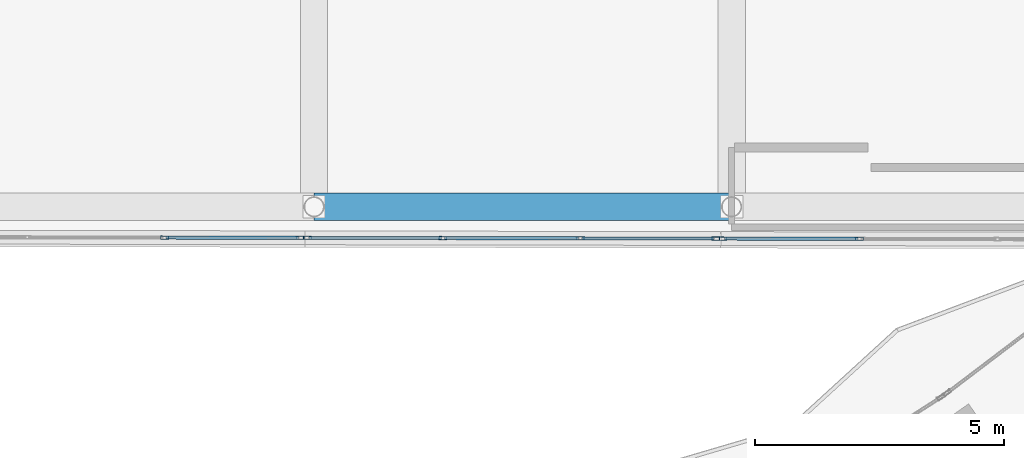
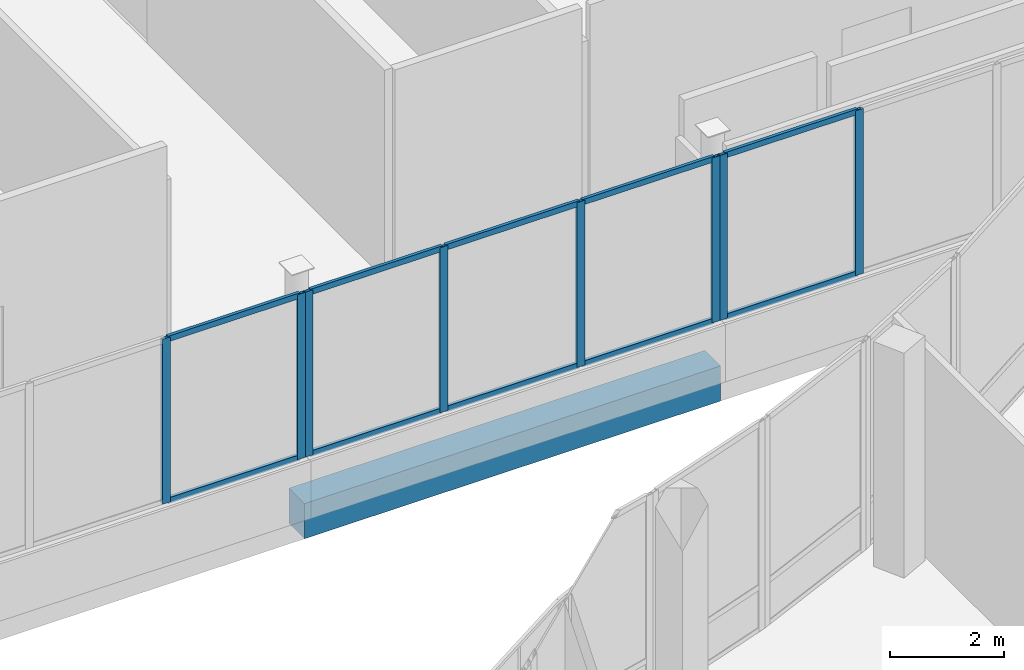
# One storey, part 37 of 155: 18 members, 1 beam, 3 elements without a shape of their own.
"""IFC4 building model written with IfcOpenShell, lengths in metres."""

from ifc_helpers import new_model, si_unit, direction, frame, origin, origin_2d, place, context, subcontext, project, spatial, rectangle, hollow_rectangle, extrude, material, material_profile, profile_set, type_object, element, aggregate, save


model = new_model("IFC4")

# Units and contexts
model_context = context("Model", 3, precision=1e-05, world=origin(), true_north=direction((0.0, 1.0)))
body_context = subcontext(model_context, "Body", "Model", "MODEL_VIEW")
ifc_project = project(units=[si_unit("LENGTHUNIT", "METRE"), si_unit("AREAUNIT", "SQUARE_METRE"), si_unit("VOLUMEUNIT", "CUBIC_METRE"), si_unit("PLANEANGLEUNIT", "RADIAN"), si_unit("MASSUNIT", "GRAM", prefix="KILO")], contexts=[model_context])

# Site, building, storey
site_placement = place(None, origin())
site = spatial("IfcSite", under=ifc_project, at=site_placement, CompositionType="ELEMENT")
building_placement = place(site_placement, origin())
building = spatial("IfcBuilding", under=site, at=building_placement, Name="Selatvlak General Hospital", CompositionType="ELEMENT")
storey_placement = place(building_placement, frame((0.0, 0.0, 10.199951171875)))
storey = spatial("IfcBuildingStorey", under=building, at=storey_placement, Name="L02", CompositionType="ELEMENT", Elevation=10.199951171875)

# Beam
ifc_material_1 = material(Name="Concrete C40/50", Category="concrete")
ifc_material_profile_1 = material_profile(ifc_material_1, rectangle(XDim=0.550048828125, YDim=0.75, at=origin_2d()), Name="RC-BM 550x750")
ifc_profile_set_1 = profile_set([ifc_material_profile_1], Name="Concrete C40/50")
beam_type = type_object("IfcBeamType", Name="BM-G02", PredefinedType="BEAM", material=ifc_profile_set_1)
beam_placement = place(storey_placement, frame((64.800048828125, 52.550048828125, -0.72998046875), z_axis=(1.0, 0.0, 0.0), x_axis=(0.0, 1.0, 0.0)))
element("IfcBeam", 1, at=beam_placement, inside=storey, type_object=beam_type, Name="Beam BMR-L02-0772", PredefinedType="BEAM", context=body_context, shape_type="SweptSolid", body=[
    extrude(rectangle(XDim=0.550048828125, YDim=0.75, at=origin_2d()), origin(), (0.0, 0.0, 1.0), 8.39990234375),
])

# Curtain wall, members
ifc_material_2 = material(Name="Solar-control Low-E double glazing", Category="glass")
curtain_wall_type_1 = type_object("IfcCurtainWallType", Name="CW-CW-02", PredefinedType="USERDEFINED", material=ifc_material_2)
curtain_wall_1_placement = place(storey_placement, origin())
curtain_wall_1 = element("IfcCurtainWall", 2, at=curtain_wall_1_placement, inside=storey, type_object=curtain_wall_type_1, Name="Glazed facade curtain wall CW-L02-0339", ObjectType="UNITISED CURTAIN WALL", PredefinedType="USERDEFINED")
ifc_material_3 = material(Name="Dark anodised aluminium mullion", Category="aluminium")
ifc_material_profile_2 = material_profile(ifc_material_3, hollow_rectangle(XDim=0.06494140625, YDim=0.159912109375, WallThickness=0.00390625, at=origin_2d()), Name="AL-MUL 65x160x4")
ifc_profile_set_2 = profile_set([ifc_material_profile_2], Name="Dark anodised aluminium mullion")
member_type_1 = type_object("IfcMemberType", Name="CWM-01", PredefinedType="MULLION", material=ifc_profile_set_2)
member_1_placement = place(storey_placement, frame((75.772216796875, 51.905029296875, 0.93994140625), z_axis=(0.0, 0.0, 1.0), x_axis=(-0.001800285137, -0.999998379485, 0.0)))
member_1 = element("IfcMember", 3, at=member_1_placement, type_object=member_type_1, Name="CW-02 mullion 3", PredefinedType="MULLION", context=body_context, shape_type="SweptSolid", body=[
    extrude(hollow_rectangle(XDim=0.06494140625, YDim=0.159912109375, WallThickness=0.00390625, at=origin_2d()), origin(), (0.0, 0.0, 1.0), 3.52001953125),
])
member_2_placement = place(storey_placement, frame((73.027587890625, 51.909912109375, 0.93994140625), z_axis=(0.0, 0.0, 1.0), x_axis=(-0.001800285137, -0.999998379485, 0.0)))
member_2 = element("IfcMember", 4, at=member_2_placement, type_object=member_type_1, Name="CW-02 mullion 4", PredefinedType="MULLION", context=body_context, shape_type="SweptSolid", body=[
    extrude(hollow_rectangle(XDim=0.06494140625, YDim=0.159912109375, WallThickness=0.00390625, at=origin_2d()), origin(), (0.0, 0.0, 1.0), 3.52001953125),
])

curtain_wall_type_2 = type_object("IfcCurtainWallType", Name="CW-CW-01", PredefinedType="USERDEFINED", material=ifc_material_2)
curtain_wall_2_placement = place(storey_placement, origin())
curtain_wall_2 = element("IfcCurtainWall", 5, at=curtain_wall_2_placement, inside=storey, type_object=curtain_wall_type_2, Name="Glazed facade curtain wall CW-L02-0340", ObjectType="UNITISED CURTAIN WALL", PredefinedType="USERDEFINED")
member_3_placement = place(storey_placement, frame((72.882568359375, 51.91015625, 0.93994140625), z_axis=(0.0, 0.0, 1.0), x_axis=(-0.001811153756, -0.99999835986, 0.0)))
member_3 = element("IfcMember", 6, at=member_3_placement, type_object=member_type_1, Name="CW-01 mullion 1", PredefinedType="MULLION", context=body_context, shape_type="SweptSolid", body=[
    extrude(hollow_rectangle(XDim=0.06494140625, YDim=0.159912109375, WallThickness=0.00390625, at=origin_2d()), origin(), (0.0, 0.0, 1.0), 3.52001953125),
])
member_4_placement = place(storey_placement, frame((70.154296875, 51.9150390625, 0.93994140625), z_axis=(0.0, 0.0, 1.0), x_axis=(-0.001811153756, -0.99999835986, 0.0)))
member_4 = element("IfcMember", 7, at=member_4_placement, type_object=member_type_1, Name="CW-01 mullion 2", PredefinedType="MULLION", context=body_context, shape_type="SweptSolid", body=[
    extrude(hollow_rectangle(XDim=0.06494140625, YDim=0.159912109375, WallThickness=0.00390625, at=origin_2d()), origin(), (0.0, 0.0, 1.0), 3.52001953125),
])
member_5_placement = place(storey_placement, frame((67.3935546875, 51.919921875, 0.93994140625), z_axis=(0.0, 0.0, 1.0), x_axis=(-0.001811153756, -0.99999835986, 0.0)))
member_5 = element("IfcMember", 8, at=member_5_placement, type_object=member_type_1, Name="CW-01 mullion 3", PredefinedType="MULLION", context=body_context, shape_type="SweptSolid", body=[
    extrude(hollow_rectangle(XDim=0.06494140625, YDim=0.159912109375, WallThickness=0.00390625, at=origin_2d()), origin(), (0.0, 0.0, 1.0), 3.52001953125),
])
member_6_placement = place(storey_placement, frame((64.66552734375, 51.925048828125, 0.93994140625), z_axis=(0.0, 0.0, 1.0), x_axis=(-0.001811153756, -0.99999835986, 0.0)))
member_6 = element("IfcMember", 9, at=member_6_placement, type_object=member_type_1, Name="CW-01 mullion 4", PredefinedType="MULLION", context=body_context, shape_type="SweptSolid", body=[
    extrude(hollow_rectangle(XDim=0.06494140625, YDim=0.159912109375, WallThickness=0.00390625, at=origin_2d()), origin(), (0.0, 0.0, 1.0), 3.52001953125),
])

curtain_wall_3_placement = place(storey_placement, origin())
curtain_wall_3 = element("IfcCurtainWall", 10, at=curtain_wall_3_placement, inside=storey, type_object=curtain_wall_type_1, Name="Glazed facade curtain wall CW-L02-0341", ObjectType="UNITISED CURTAIN WALL", PredefinedType="USERDEFINED")
member_7_placement = place(storey_placement, frame((64.5205078125, 51.925048828125, 0.93994140625), z_axis=(0.0, 0.0, 1.0), x_axis=(-0.001811153756, -0.99999835986, 0.0)))
member_7 = element("IfcMember", 11, at=member_7_placement, type_object=member_type_1, Name="CW-02 mullion 1", PredefinedType="MULLION", context=body_context, shape_type="SweptSolid", body=[
    extrude(hollow_rectangle(XDim=0.06494140625, YDim=0.159912109375, WallThickness=0.00390625, at=origin_2d()), origin(), (0.0, 0.0, 1.0), 3.52001953125),
])
member_8_placement = place(storey_placement, frame((61.792236328125, 51.929931640625, 0.93994140625), z_axis=(0.0, 0.0, 1.0), x_axis=(-0.001811153756, -0.99999835986, 0.0)))
member_8 = element("IfcMember", 12, at=member_8_placement, type_object=member_type_1, Name="CW-02 mullion 2", PredefinedType="MULLION", context=body_context, shape_type="SweptSolid", body=[
    extrude(hollow_rectangle(XDim=0.06494140625, YDim=0.159912109375, WallThickness=0.00390625, at=origin_2d()), origin(), (0.0, 0.0, 1.0), 3.52001953125),
])

# Member
ifc_material_profile_3 = material_profile(ifc_material_3, hollow_rectangle(XDim=0.06494140625, YDim=0.1201171875, WallThickness=0.00390625, at=origin_2d()), Name="AL-TRN 65x120x4")
ifc_profile_set_3 = profile_set([ifc_material_profile_3], Name="Dark anodised aluminium mullion")
member_type_2 = type_object("IfcMemberType", Name="CWT-01", PredefinedType="USERDEFINED", material=ifc_profile_set_3)
member_9_placement = place(storey_placement, frame((75.73974609375, 51.905029296875, 0.97265625), z_axis=(-0.999998339875, 0.001822154409, 0.0), x_axis=(-0.001822154409, -0.999998339875, 0.0)))
member_9 = element("IfcMember", 13, at=member_9_placement, type_object=member_type_2, Name="CW-02 transom 3.1", ObjectType="TRANSOM", PredefinedType="USERDEFINED", context=body_context, shape_type="SweptSolid", body=[
    extrude(hollow_rectangle(XDim=0.06494140625, YDim=0.1201171875, WallThickness=0.00390625, at=origin_2d()), origin(), (0.0, 0.0, 1.0), 2.6796875),
])

member_10_placement = place(storey_placement, frame((75.73974609375, 51.905029296875, 4.427490234375), z_axis=(-0.999998339875, 0.001822154409, 0.0), x_axis=(-0.001822154409, -0.999998339875, 0.0)))
member_10 = element("IfcMember", 14, at=member_10_placement, type_object=member_type_2, Name="CW-02 transom 3.2", ObjectType="TRANSOM", PredefinedType="USERDEFINED", context=body_context, shape_type="SweptSolid", body=[
    extrude(hollow_rectangle(XDim=0.06494140625, YDim=0.1201171875, WallThickness=0.00390625, at=origin_2d()), origin(), (0.0, 0.0, 1.0), 2.6796875),
])

aggregate(curtain_wall_1, [member_1, member_2, member_9, member_10])

member_11_placement = place(storey_placement, frame((72.85009765625, 51.91015625, 0.97265625), z_axis=(-0.999998319421, 0.00183334553, 0.0), x_axis=(-0.00183334553, -0.999998319421, 0.0)))
member_11 = element("IfcMember", 15, at=member_11_placement, type_object=member_type_2, Name="CW-01 transom 1.1", ObjectType="TRANSOM", PredefinedType="USERDEFINED", context=body_context, shape_type="SweptSolid", body=[
    extrude(hollow_rectangle(XDim=0.06494140625, YDim=0.1201171875, WallThickness=0.00390625, at=origin_2d()), origin(), (0.0, 0.0, 1.0), 2.663330078125),
])

member_12_placement = place(storey_placement, frame((72.85009765625, 51.91015625, 4.427490234375), z_axis=(-0.999998319421, 0.00183334553, 0.0), x_axis=(-0.00183334553, -0.999998319421, 0.0)))
member_12 = element("IfcMember", 16, at=member_12_placement, type_object=member_type_2, Name="CW-01 transom 1.2", ObjectType="TRANSOM", PredefinedType="USERDEFINED", context=body_context, shape_type="SweptSolid", body=[
    extrude(hollow_rectangle(XDim=0.06494140625, YDim=0.1201171875, WallThickness=0.00390625, at=origin_2d()), origin(), (0.0, 0.0, 1.0), 2.663330078125),
])

member_13_placement = place(storey_placement, frame((70.121826171875, 51.9150390625, 0.97265625), z_axis=(-0.999998359364, 0.001811427152, 0.0), x_axis=(-0.001811427152, -0.999998359364, 0.0)))
member_13 = element("IfcMember", 17, at=member_13_placement, type_object=member_type_2, Name="CW-01 transom 2.1", ObjectType="TRANSOM", PredefinedType="USERDEFINED", context=body_context, shape_type="SweptSolid", body=[
    extrude(hollow_rectangle(XDim=0.06494140625, YDim=0.1201171875, WallThickness=0.00390625, at=origin_2d()), origin(), (0.0, 0.0, 1.0), 2.695556640625),
])

member_14_placement = place(storey_placement, frame((70.121826171875, 51.9150390625, 4.427490234375), z_axis=(-0.999998359364, 0.001811427152, 0.0), x_axis=(-0.001811427152, -0.999998359364, 0.0)))
member_14 = element("IfcMember", 18, at=member_14_placement, type_object=member_type_2, Name="CW-01 transom 2.2", ObjectType="TRANSOM", PredefinedType="USERDEFINED", context=body_context, shape_type="SweptSolid", body=[
    extrude(hollow_rectangle(XDim=0.06494140625, YDim=0.1201171875, WallThickness=0.00390625, at=origin_2d()), origin(), (0.0, 0.0, 1.0), 2.695556640625),
])

member_15_placement = place(storey_placement, frame((67.361083984375, 51.920166015625, 0.97265625), z_axis=(-0.999998482999, 0.001741838208, 0.0), x_axis=(-0.001741838208, -0.999998482999, 0.0)))
member_15 = element("IfcMember", 19, at=member_15_placement, type_object=member_type_2, Name="CW-01 transom 3.1", ObjectType="TRANSOM", PredefinedType="USERDEFINED", context=body_context, shape_type="SweptSolid", body=[
    extrude(hollow_rectangle(XDim=0.06494140625, YDim=0.1201171875, WallThickness=0.00390625, at=origin_2d()), origin(), (0.0, 0.0, 1.0), 2.6630859375),
])

member_16_placement = place(storey_placement, frame((67.361083984375, 51.920166015625, 4.427490234375), z_axis=(-0.999998482999, 0.001741838208, 0.0), x_axis=(-0.001741838208, -0.999998482999, 0.0)))
member_16 = element("IfcMember", 20, at=member_16_placement, type_object=member_type_2, Name="CW-01 transom 3.2", ObjectType="TRANSOM", PredefinedType="USERDEFINED", context=body_context, shape_type="SweptSolid", body=[
    extrude(hollow_rectangle(XDim=0.06494140625, YDim=0.1201171875, WallThickness=0.00390625, at=origin_2d()), origin(), (0.0, 0.0, 1.0), 2.6630859375),
])

aggregate(curtain_wall_2, [member_3, member_4, member_5, member_6, member_11, member_12, member_13, member_14, member_15, member_16])

member_17_placement = place(storey_placement, frame((64.488037109375, 51.925048828125, 0.97265625), z_axis=(-0.999998319113, 0.001833513603, 0.0), x_axis=(-0.001833513603, -0.999998319113, 0.0)))
member_17 = element("IfcMember", 21, at=member_17_placement, type_object=member_type_2, Name="CW-02 transom 1.1", ObjectType="TRANSOM", PredefinedType="USERDEFINED", context=body_context, shape_type="SweptSolid", body=[
    extrude(hollow_rectangle(XDim=0.06494140625, YDim=0.1201171875, WallThickness=0.00390625, at=origin_2d()), origin(), (0.0, 0.0, 1.0), 2.6630859375),
])

member_18_placement = place(storey_placement, frame((64.488037109375, 51.925048828125, 4.427490234375), z_axis=(-0.999998319113, 0.001833513603, 0.0), x_axis=(-0.001833513603, -0.999998319113, 0.0)))
member_18 = element("IfcMember", 22, at=member_18_placement, type_object=member_type_2, Name="CW-02 transom 1.2", ObjectType="TRANSOM", PredefinedType="USERDEFINED", context=body_context, shape_type="SweptSolid", body=[
    extrude(hollow_rectangle(XDim=0.06494140625, YDim=0.1201171875, WallThickness=0.00390625, at=origin_2d()), origin(), (0.0, 0.0, 1.0), 2.6630859375),
])

aggregate(curtain_wall_3, [member_7, member_8, member_17, member_18])

save(model, "model.ifc")
